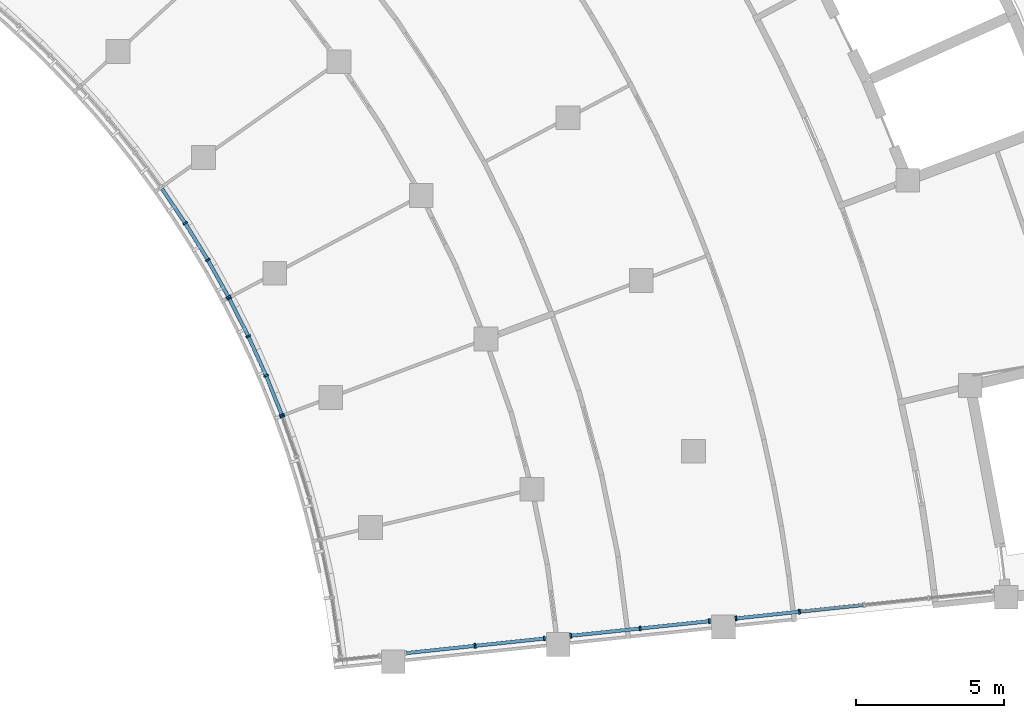
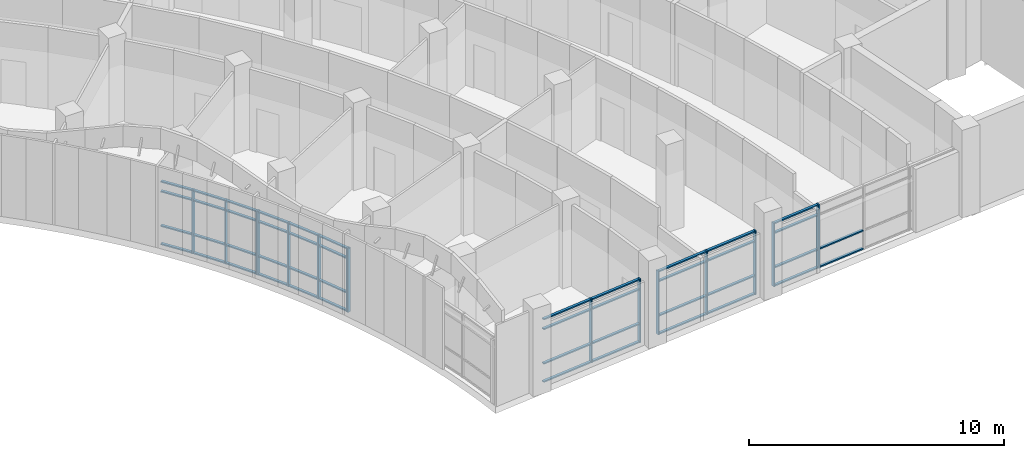
# One storey, part 9 of 137: 61 members, 6 elements without a shape of their own.
"""IFC4 building model written with IfcOpenShell, lengths in metres."""

from ifc_helpers import new_model, si_unit, direction, frame, origin, origin_2d, place, context, subcontext, project, spatial, rectangle, extrude, material, material_profile, profile_set, type_object, element, aggregate, save


model = new_model("IFC4")

# Units and contexts
model_context = context("Model", 3, precision=1e-05, world=origin(), true_north=direction((0.0, 1.0)))
body_context = subcontext(model_context, "Body", "Model", "MODEL_VIEW")
ifc_project = project(units=[si_unit("LENGTHUNIT", "METRE"), si_unit("AREAUNIT", "SQUARE_METRE"), si_unit("VOLUMEUNIT", "CUBIC_METRE"), si_unit("PLANEANGLEUNIT", "RADIAN"), si_unit("MASSUNIT", "GRAM", prefix="KILO")], contexts=[model_context])

# Site, building, storey
site_placement = place(None, origin())
site = spatial("IfcSite", under=ifc_project, at=site_placement, CompositionType="ELEMENT")
building_placement = place(site_placement, origin())
building = spatial("IfcBuilding", under=site, at=building_placement, Name="Bougainvillea Quay General Hospital", CompositionType="ELEMENT")
storey_placement = place(building_placement, frame((0.0, 0.0, 16.800048828125)))
storey = spatial("IfcBuildingStorey", under=building, at=storey_placement, Name="L03", CompositionType="ELEMENT", Elevation=16.800048828125)

# Curtain wall, members
ifc_material_1 = material(Name="Aluminium curtain wall system, powder-coated glazed", Category="aluminium")
curtain_wall_type_1 = type_object("IfcCurtainWallType", Name="Unitised curtain wall CW-2100", PredefinedType="NOTDEFINED", material=ifc_material_1)
curtain_wall_1_placement = place(storey_placement, origin())
curtain_wall_1 = element("IfcCurtainWall", 1, at=curtain_wall_1_placement, inside=storey, type_object=curtain_wall_type_1, Name="CW-E05 a12b4", PredefinedType="NOTDEFINED")
ifc_material_2 = material(Name="Aluminium mullion, powder-coated charcoal", Category="aluminium")
ifc_material_profile_1 = material_profile(ifc_material_2, rectangle(XDim=0.159912109375, YDim=0.06005859375, at=origin_2d()))
ifc_profile_set_1 = profile_set([ifc_material_profile_1], Name="Aluminium mullion, powder-coated charcoal")
member_type_1 = type_object("IfcMemberType", Name="Curtain wall mullion 160x60", PredefinedType="MULLION", material=ifc_profile_set_1)
member_1_placement = place(storey_placement, frame((137.984619140625, 40.560791015625, 0.0), z_axis=(0.0, 0.0, 1.0), x_axis=(0.840427908607, 0.541923362141, 0.0)))
member_1 = element("IfcMember", 2, at=member_1_placement, type_object=member_type_1, Name="CW-E05 mullion 2", PredefinedType="MULLION", context=body_context, shape_type="SweptSolid", body=[
    extrude(rectangle(XDim=0.159912109375, YDim=0.06005859375, at=origin_2d()), origin(), (0.0, 0.0, 1.0), 3.050048828125),
])
member_2_placement = place(storey_placement, frame((138.747802734375, 39.31982421875, 0.0), z_axis=(0.0, 0.0, 1.0), x_axis=(0.862713792698, 0.50569250725, 0.0)))
member_2 = element("IfcMember", 3, at=member_2_placement, type_object=member_type_1, Name="CW-E05 mullion 3", PredefinedType="MULLION", context=body_context, shape_type="SweptSolid", body=[
    extrude(rectangle(XDim=0.159912109375, YDim=0.06005859375, at=origin_2d()), origin(), (0.0, 0.0, 1.0), 3.050048828125),
])
member_3_placement = place(storey_placement, frame((139.443115234375, 38.073974609375, 0.0), z_axis=(0.0, 0.0, 1.0), x_axis=(0.873273793396, 0.487229803858, 0.0)))
member_3 = element("IfcMember", 4, at=member_3_placement, type_object=member_type_1, Name="CW-E05 mullion 4", PredefinedType="MULLION", context=body_context, shape_type="SweptSolid", body=[
    extrude(rectangle(XDim=0.159912109375, YDim=0.06005859375, at=origin_2d()), origin(), (0.0, 0.0, 1.0), 3.050048828125),
])

curtain_wall_2_placement = place(storey_placement, origin())
curtain_wall_2 = element("IfcCurtainWall", 5, at=curtain_wall_2_placement, inside=storey, type_object=curtain_wall_type_1, Name="CW-E06 a12b5", PredefinedType="NOTDEFINED")
member_4_placement = place(storey_placement, frame((139.47119140625, 38.02099609375, 0.0), z_axis=(0.0, 0.0, 1.0), x_axis=(0.893204028362, 0.449651602597, 0.0)))
member_4 = element("IfcMember", 6, at=member_4_placement, type_object=member_type_1, Name="CW-E06 mullion 1", PredefinedType="MULLION", context=body_context, shape_type="SweptSolid", body=[
    extrude(rectangle(XDim=0.159912109375, YDim=0.06005859375, at=origin_2d()), origin(), (0.0, 0.0, 1.0), 3.050048828125),
])
member_5_placement = place(storey_placement, frame((140.11279296875, 36.746337890625, 0.0), z_axis=(0.0, 0.0, 1.0), x_axis=(0.902565246474, 0.430553104574, 0.0)))
member_5 = element("IfcMember", 7, at=member_5_placement, type_object=member_type_1, Name="CW-E06 mullion 2", PredefinedType="MULLION", context=body_context, shape_type="SweptSolid", body=[
    extrude(rectangle(XDim=0.159912109375, YDim=0.06005859375, at=origin_2d()), origin(), (0.0, 0.0, 1.0), 3.050048828125),
])
member_6_placement = place(storey_placement, frame((140.7119140625, 35.41845703125, 0.0), z_axis=(0.0, 0.0, 1.0), x_axis=(0.920058711526, 0.391780509145, 0.0)))
member_6 = element("IfcMember", 8, at=member_6_placement, type_object=member_type_1, Name="CW-E06 mullion 3", PredefinedType="MULLION", context=body_context, shape_type="SweptSolid", body=[
    extrude(rectangle(XDim=0.159912109375, YDim=0.06005859375, at=origin_2d()), origin(), (0.0, 0.0, 1.0), 3.050048828125),
])
member_7_placement = place(storey_placement, frame((141.242919921875, 34.093994140625, 0.0), z_axis=(0.0, 0.0, 1.0), x_axis=(0.92818304467, 0.372123951912, 0.0)))
member_7 = element("IfcMember", 9, at=member_7_placement, type_object=member_type_1, Name="CW-E06 mullion 4", PredefinedType="MULLION", context=body_context, shape_type="SweptSolid", body=[
    extrude(rectangle(XDim=0.159912109375, YDim=0.06005859375, at=origin_2d()), origin(), (0.0, 0.0, 1.0), 3.050048828125),
])

# Curtain wall, member
curtain_wall_3_placement = place(storey_placement, origin())
curtain_wall_3 = element("IfcCurtainWall", 10, at=curtain_wall_3_placement, inside=storey, type_object=curtain_wall_type_1, Name="CW-E07 a12b6", PredefinedType="NOTDEFINED")
member_8_placement = place(storey_placement, frame((141.26416015625, 34.037841796875, 0.0), z_axis=(0.0, 0.0, 1.0), x_axis=(0.943168537252, 0.332314775986, 0.0)))
member_8 = element("IfcMember", 11, at=member_8_placement, type_object=member_type_1, Name="CW-E07 mullion 1", PredefinedType="MULLION", context=body_context, shape_type="SweptSolid", body=[
    extrude(rectangle(XDim=0.159912109375, YDim=0.06005859375, at=origin_2d()), origin(), (0.0, 0.0, 1.0), 3.050048828125),
])
aggregate(curtain_wall_3, [member_8])

# Curtain wall, members
curtain_wall_type_2 = type_object("IfcCurtainWallType", Name="Unitised curtain wall CW-2380", PredefinedType="NOTDEFINED", material=ifc_material_1)
curtain_wall_4_placement = place(storey_placement, origin())
curtain_wall_4 = element("IfcCurtainWall", 12, at=curtain_wall_4_placement, inside=storey, type_object=curtain_wall_type_2, Name="CW-AE 01", PredefinedType="NOTDEFINED")
member_9_placement = place(storey_placement, frame((147.76171875, 26.304443359375, 0.0), z_axis=(0.0, 0.0, 1.0), x_axis=(-0.104527173765, 0.9945220309, 0.0)))
member_9 = element("IfcMember", 13, at=member_9_placement, type_object=member_type_1, Name="CW-AE mullion 2", PredefinedType="MULLION", context=body_context, shape_type="SweptSolid", body=[
    extrude(rectangle(XDim=0.159912109375, YDim=0.06005859375, at=origin_2d()), origin(), (0.0, 0.0, 1.0), 3.050048828125),
])
member_10_placement = place(storey_placement, frame((150.0986328125, 26.550048828125, 0.0), z_axis=(0.0, 0.0, 1.0), x_axis=(-0.104527173765, 0.9945220309, 0.0)))
member_10 = element("IfcMember", 14, at=member_10_placement, type_object=member_type_1, Name="CW-AE mullion 3", PredefinedType="MULLION", context=body_context, shape_type="SweptSolid", body=[
    extrude(rectangle(XDim=0.159912109375, YDim=0.06005859375, at=origin_2d()), origin(), (0.0, 0.0, 1.0), 3.050048828125),
])

curtain_wall_5_placement = place(storey_placement, origin())
curtain_wall_5 = element("IfcCurtainWall", 15, at=curtain_wall_5_placement, inside=storey, type_object=curtain_wall_type_2, Name="CW-AE 02", PredefinedType="NOTDEFINED")
member_11_placement = place(storey_placement, frame((150.99365234375, 26.64404296875, 0.0), z_axis=(0.0, 0.0, 1.0), x_axis=(-0.104527173765, 0.9945220309, 0.0)))
member_11 = element("IfcMember", 16, at=member_11_placement, type_object=member_type_1, Name="CW-AE mullion 1", PredefinedType="MULLION", context=body_context, shape_type="SweptSolid", body=[
    extrude(rectangle(XDim=0.159912109375, YDim=0.06005859375, at=origin_2d()), origin(), (0.0, 0.0, 1.0), 3.050048828125),
])
member_12_placement = place(storey_placement, frame((153.33056640625, 26.8896484375, 0.0), z_axis=(0.0, 0.0, 1.0), x_axis=(-0.104527173765, 0.9945220309, 0.0)))
member_12 = element("IfcMember", 17, at=member_12_placement, type_object=member_type_1, Name="CW-AE mullion 2", PredefinedType="MULLION", context=body_context, shape_type="SweptSolid", body=[
    extrude(rectangle(XDim=0.159912109375, YDim=0.06005859375, at=origin_2d()), origin(), (0.0, 0.0, 1.0), 3.050048828125),
])
member_13_placement = place(storey_placement, frame((155.667724609375, 27.13525390625, 0.0), z_axis=(0.0, 0.0, 1.0), x_axis=(-0.104527173765, 0.9945220309, 0.0)))
member_13 = element("IfcMember", 18, at=member_13_placement, type_object=member_type_1, Name="CW-AE mullion 3", PredefinedType="MULLION", context=body_context, shape_type="SweptSolid", body=[
    extrude(rectangle(XDim=0.159912109375, YDim=0.06005859375, at=origin_2d()), origin(), (0.0, 0.0, 1.0), 3.050048828125),
])

curtain_wall_type_3 = type_object("IfcCurtainWallType", Name="Unitised curtain wall CW-2190", PredefinedType="NOTDEFINED", material=ifc_material_1)
curtain_wall_6_placement = place(storey_placement, origin())
curtain_wall_6 = element("IfcCurtainWall", 19, at=curtain_wall_6_placement, inside=storey, type_object=curtain_wall_type_3, Name="CW-AE 03", PredefinedType="NOTDEFINED")
member_14_placement = place(storey_placement, frame((156.562744140625, 27.2294921875, 0.0), z_axis=(0.0, 0.0, 1.0), x_axis=(-0.104527173765, 0.9945220309, 0.0)))
member_14 = element("IfcMember", 20, at=member_14_placement, type_object=member_type_1, Name="CW-AE mullion 1", PredefinedType="MULLION", context=body_context, shape_type="SweptSolid", body=[
    extrude(rectangle(XDim=0.159912109375, YDim=0.06005859375, at=origin_2d()), origin(), (0.0, 0.0, 1.0), 3.050048828125),
])
member_15_placement = place(storey_placement, frame((158.7109375, 27.455078125, 0.0), z_axis=(0.0, 0.0, 1.0), x_axis=(-0.104527173765, 0.9945220309, 0.0)))
member_15 = element("IfcMember", 21, at=member_15_placement, type_object=member_type_1, Name="CW-AE mullion 2", PredefinedType="MULLION", context=body_context, shape_type="SweptSolid", body=[
    extrude(rectangle(XDim=0.159912109375, YDim=0.06005859375, at=origin_2d()), origin(), (0.0, 0.0, 1.0), 3.050048828125),
])

# Member
ifc_material_3 = material(Name="Aluminium transom, powder-coated charcoal", Category="aluminium")
ifc_material_profile_2 = material_profile(ifc_material_3, rectangle(XDim=0.1201171875, YDim=0.06005859375, at=origin_2d()))
ifc_profile_set_2 = profile_set([ifc_material_profile_2], Name="Aluminium transom, powder-coated charcoal")
member_type_2 = type_object("IfcMemberType", Name="Curtain wall transom 120x60", PredefinedType="USERDEFINED", material=ifc_profile_set_2)
member_16_placement = place(storey_placement, frame((137.202880859375, 41.718505859375, 0.030029296875), z_axis=(0.559595554462, -0.828765838718, 0.0), x_axis=(0.828765838718, 0.559595554462, 0.0)))
member_16 = element("IfcMember", 22, at=member_16_placement, type_object=member_type_2, Name="CW-E05 transom 1.1", ObjectType="TRANSOM", PredefinedType="USERDEFINED", context=body_context, shape_type="SweptSolid", body=[
    extrude(rectangle(XDim=0.1201171875, YDim=0.06005859375, at=origin_2d()), origin(), (0.0, 0.0, 1.0), 1.366943359375),
])

member_17_placement = place(storey_placement, frame((137.202880859375, 41.718505859375, 0.89990234375), z_axis=(0.559595554462, -0.828765838718, 0.0), x_axis=(0.828765838718, 0.559595554462, 0.0)))
member_17 = element("IfcMember", 23, at=member_17_placement, type_object=member_type_2, Name="CW-E05 transom 1.2", ObjectType="TRANSOM", PredefinedType="USERDEFINED", context=body_context, shape_type="SweptSolid", body=[
    extrude(rectangle(XDim=0.1201171875, YDim=0.06005859375, at=origin_2d()), origin(), (0.0, 0.0, 1.0), 1.366943359375),
])

member_18_placement = place(storey_placement, frame((137.202880859375, 41.718505859375, 2.550048828125), z_axis=(0.559595554462, -0.828765838718, 0.0), x_axis=(0.828765838718, 0.559595554462, 0.0)))
member_18 = element("IfcMember", 24, at=member_18_placement, type_object=member_type_2, Name="CW-E05 transom 1.3", ObjectType="TRANSOM", PredefinedType="USERDEFINED", context=body_context, shape_type="SweptSolid", body=[
    extrude(rectangle(XDim=0.1201171875, YDim=0.06005859375, at=origin_2d()), origin(), (0.0, 0.0, 1.0), 1.366943359375),
])

member_19_placement = place(storey_placement, frame((137.202880859375, 41.718505859375, 3.02001953125), z_axis=(0.559595554462, -0.828765838718, 0.0), x_axis=(0.828765838718, 0.559595554462, 0.0)))
member_19 = element("IfcMember", 25, at=member_19_placement, type_object=member_type_2, Name="CW-E05 transom 1.4", ObjectType="TRANSOM", PredefinedType="USERDEFINED", context=body_context, shape_type="SweptSolid", body=[
    extrude(rectangle(XDim=0.1201171875, YDim=0.06005859375, at=origin_2d()), origin(), (0.0, 0.0, 1.0), 1.366943359375),
])

member_20_placement = place(storey_placement, frame((138.000244140625, 40.535400390625, 0.030029296875), z_axis=(0.523921907365, -0.851766303034, 0.0), x_axis=(0.851766303034, 0.523921907365, 0.0)))
member_20 = element("IfcMember", 26, at=member_20_placement, type_object=member_type_2, Name="CW-E05 transom 2.1", ObjectType="TRANSOM", PredefinedType="USERDEFINED", context=body_context, shape_type="SweptSolid", body=[
    extrude(rectangle(XDim=0.1201171875, YDim=0.06005859375, at=origin_2d()), origin(), (0.0, 0.0, 1.0), 1.39697265625),
])

member_21_placement = place(storey_placement, frame((138.000244140625, 40.535400390625, 0.89990234375), z_axis=(0.523921907365, -0.851766303034, 0.0), x_axis=(0.851766303034, 0.523921907365, 0.0)))
member_21 = element("IfcMember", 27, at=member_21_placement, type_object=member_type_2, Name="CW-E05 transom 2.2", ObjectType="TRANSOM", PredefinedType="USERDEFINED", context=body_context, shape_type="SweptSolid", body=[
    extrude(rectangle(XDim=0.1201171875, YDim=0.06005859375, at=origin_2d()), origin(), (0.0, 0.0, 1.0), 1.39697265625),
])

member_22_placement = place(storey_placement, frame((138.000244140625, 40.535400390625, 2.550048828125), z_axis=(0.523921907365, -0.851766303034, 0.0), x_axis=(0.851766303034, 0.523921907365, 0.0)))
member_22 = element("IfcMember", 28, at=member_22_placement, type_object=member_type_2, Name="CW-E05 transom 2.3", ObjectType="TRANSOM", PredefinedType="USERDEFINED", context=body_context, shape_type="SweptSolid", body=[
    extrude(rectangle(XDim=0.1201171875, YDim=0.06005859375, at=origin_2d()), origin(), (0.0, 0.0, 1.0), 1.39697265625),
])

member_23_placement = place(storey_placement, frame((138.000244140625, 40.535400390625, 3.02001953125), z_axis=(0.523921907365, -0.851766303034, 0.0), x_axis=(0.851766303034, 0.523921907365, 0.0)))
member_23 = element("IfcMember", 29, at=member_23_placement, type_object=member_type_2, Name="CW-E05 transom 2.4", ObjectType="TRANSOM", PredefinedType="USERDEFINED", context=body_context, shape_type="SweptSolid", body=[
    extrude(rectangle(XDim=0.1201171875, YDim=0.06005859375, at=origin_2d()), origin(), (0.0, 0.0, 1.0), 1.39697265625),
])

member_24_placement = place(storey_placement, frame((138.762451171875, 39.293701171875, 0.030029296875), z_axis=(0.487264805137, -0.873254264046, 0.0), x_axis=(0.873254264046, 0.487264805137, 0.0)))
member_24 = element("IfcMember", 30, at=member_24_placement, type_object=member_type_2, Name="CW-E05 transom 3.1", ObjectType="TRANSOM", PredefinedType="USERDEFINED", context=body_context, shape_type="SweptSolid", body=[
    extrude(rectangle(XDim=0.1201171875, YDim=0.06005859375, at=origin_2d()), origin(), (0.0, 0.0, 1.0), 1.366943359375),
])

member_25_placement = place(storey_placement, frame((138.762451171875, 39.293701171875, 0.89990234375), z_axis=(0.487264805137, -0.873254264046, 0.0), x_axis=(0.873254264046, 0.487264805137, 0.0)))
member_25 = element("IfcMember", 31, at=member_25_placement, type_object=member_type_2, Name="CW-E05 transom 3.2", ObjectType="TRANSOM", PredefinedType="USERDEFINED", context=body_context, shape_type="SweptSolid", body=[
    extrude(rectangle(XDim=0.1201171875, YDim=0.06005859375, at=origin_2d()), origin(), (0.0, 0.0, 1.0), 1.366943359375),
])

member_26_placement = place(storey_placement, frame((138.762451171875, 39.293701171875, 2.550048828125), z_axis=(0.487264805137, -0.873254264046, 0.0), x_axis=(0.873254264046, 0.487264805137, 0.0)))
member_26 = element("IfcMember", 32, at=member_26_placement, type_object=member_type_2, Name="CW-E05 transom 3.3", ObjectType="TRANSOM", PredefinedType="USERDEFINED", context=body_context, shape_type="SweptSolid", body=[
    extrude(rectangle(XDim=0.1201171875, YDim=0.06005859375, at=origin_2d()), origin(), (0.0, 0.0, 1.0), 1.366943359375),
])

member_27_placement = place(storey_placement, frame((138.762451171875, 39.293701171875, 3.02001953125), z_axis=(0.487264805137, -0.873254264046, 0.0), x_axis=(0.873254264046, 0.487264805137, 0.0)))
member_27 = element("IfcMember", 33, at=member_27_placement, type_object=member_type_2, Name="CW-E05 transom 3.4", ObjectType="TRANSOM", PredefinedType="USERDEFINED", context=body_context, shape_type="SweptSolid", body=[
    extrude(rectangle(XDim=0.1201171875, YDim=0.06005859375, at=origin_2d()), origin(), (0.0, 0.0, 1.0), 1.366943359375),
])

aggregate(curtain_wall_1, [member_1, member_2, member_3, member_16, member_17, member_18, member_19, member_20, member_21, member_22, member_23, member_24, member_25, member_26, member_27])

member_28_placement = place(storey_placement, frame((139.484619140625, 37.994140625, 0.030029296875), z_axis=(0.449712233761, -0.893173503193, 0.0), x_axis=(0.893173503193, 0.449712233761, 0.0)))
member_28 = element("IfcMember", 34, at=member_28_placement, type_object=member_type_2, Name="CW-E06 transom 1.1", ObjectType="TRANSOM", PredefinedType="USERDEFINED", context=body_context, shape_type="SweptSolid", body=[
    extrude(rectangle(XDim=0.1201171875, YDim=0.06005859375, at=origin_2d()), origin(), (0.0, 0.0, 1.0), 1.366943359375),
])

member_29_placement = place(storey_placement, frame((139.484619140625, 37.994140625, 0.89990234375), z_axis=(0.449712233761, -0.893173503193, 0.0), x_axis=(0.893173503193, 0.449712233761, 0.0)))
member_29 = element("IfcMember", 35, at=member_29_placement, type_object=member_type_2, Name="CW-E06 transom 1.2", ObjectType="TRANSOM", PredefinedType="USERDEFINED", context=body_context, shape_type="SweptSolid", body=[
    extrude(rectangle(XDim=0.1201171875, YDim=0.06005859375, at=origin_2d()), origin(), (0.0, 0.0, 1.0), 1.366943359375),
])

member_30_placement = place(storey_placement, frame((139.484619140625, 37.994140625, 2.550048828125), z_axis=(0.449712233761, -0.893173503193, 0.0), x_axis=(0.893173503193, 0.449712233761, 0.0)))
member_30 = element("IfcMember", 36, at=member_30_placement, type_object=member_type_2, Name="CW-E06 transom 1.3", ObjectType="TRANSOM", PredefinedType="USERDEFINED", context=body_context, shape_type="SweptSolid", body=[
    extrude(rectangle(XDim=0.1201171875, YDim=0.06005859375, at=origin_2d()), origin(), (0.0, 0.0, 1.0), 1.366943359375),
])

member_31_placement = place(storey_placement, frame((139.484619140625, 37.994140625, 3.02001953125), z_axis=(0.449712233761, -0.893173503193, 0.0), x_axis=(0.893173503193, 0.449712233761, 0.0)))
member_31 = element("IfcMember", 37, at=member_31_placement, type_object=member_type_2, Name="CW-E06 transom 1.4", ObjectType="TRANSOM", PredefinedType="USERDEFINED", context=body_context, shape_type="SweptSolid", body=[
    extrude(rectangle(XDim=0.1201171875, YDim=0.06005859375, at=origin_2d()), origin(), (0.0, 0.0, 1.0), 1.366943359375),
])

member_32_placement = place(storey_placement, frame((140.125244140625, 36.718994140625, 0.030029296875), z_axis=(0.411272928094, -0.911512248199, 0.0), x_axis=(0.911512248199, 0.411272928094, 0.0)))
member_32 = element("IfcMember", 38, at=member_32_placement, type_object=member_type_2, Name="CW-E06 transom 2.1", ObjectType="TRANSOM", PredefinedType="USERDEFINED", context=body_context, shape_type="SweptSolid", body=[
    extrude(rectangle(XDim=0.1201171875, YDim=0.06005859375, at=origin_2d()), origin(), (0.0, 0.0, 1.0), 1.396728515625),
])

member_33_placement = place(storey_placement, frame((140.125244140625, 36.718994140625, 0.89990234375), z_axis=(0.411272928094, -0.911512248199, 0.0), x_axis=(0.911512248199, 0.411272928094, 0.0)))
member_33 = element("IfcMember", 39, at=member_33_placement, type_object=member_type_2, Name="CW-E06 transom 2.2", ObjectType="TRANSOM", PredefinedType="USERDEFINED", context=body_context, shape_type="SweptSolid", body=[
    extrude(rectangle(XDim=0.1201171875, YDim=0.06005859375, at=origin_2d()), origin(), (0.0, 0.0, 1.0), 1.396728515625),
])

member_34_placement = place(storey_placement, frame((140.125244140625, 36.718994140625, 2.550048828125), z_axis=(0.411272928094, -0.911512248199, 0.0), x_axis=(0.911512248199, 0.411272928094, 0.0)))
member_34 = element("IfcMember", 40, at=member_34_placement, type_object=member_type_2, Name="CW-E06 transom 2.3", ObjectType="TRANSOM", PredefinedType="USERDEFINED", context=body_context, shape_type="SweptSolid", body=[
    extrude(rectangle(XDim=0.1201171875, YDim=0.06005859375, at=origin_2d()), origin(), (0.0, 0.0, 1.0), 1.396728515625),
])

member_35_placement = place(storey_placement, frame((140.125244140625, 36.718994140625, 3.02001953125), z_axis=(0.411272928094, -0.911512248199, 0.0), x_axis=(0.911512248199, 0.411272928094, 0.0)))
member_35 = element("IfcMember", 41, at=member_35_placement, type_object=member_type_2, Name="CW-E06 transom 2.4", ObjectType="TRANSOM", PredefinedType="USERDEFINED", context=body_context, shape_type="SweptSolid", body=[
    extrude(rectangle(XDim=0.1201171875, YDim=0.06005859375, at=origin_2d()), origin(), (0.0, 0.0, 1.0), 1.396728515625),
])

member_36_placement = place(storey_placement, frame((140.72314453125, 35.390625, 0.030029296875), z_axis=(0.37203726485, -0.92821779425, 0.0), x_axis=(0.92821779425, 0.37203726485, 0.0)))
member_36 = element("IfcMember", 42, at=member_36_placement, type_object=member_type_2, Name="CW-E06 transom 3.1", ObjectType="TRANSOM", PredefinedType="USERDEFINED", context=body_context, shape_type="SweptSolid", body=[
    extrude(rectangle(XDim=0.1201171875, YDim=0.06005859375, at=origin_2d()), origin(), (0.0, 0.0, 1.0), 1.366943359375),
])

member_37_placement = place(storey_placement, frame((140.72314453125, 35.390625, 0.89990234375), z_axis=(0.37203726485, -0.92821779425, 0.0), x_axis=(0.92821779425, 0.37203726485, 0.0)))
member_37 = element("IfcMember", 43, at=member_37_placement, type_object=member_type_2, Name="CW-E06 transom 3.2", ObjectType="TRANSOM", PredefinedType="USERDEFINED", context=body_context, shape_type="SweptSolid", body=[
    extrude(rectangle(XDim=0.1201171875, YDim=0.06005859375, at=origin_2d()), origin(), (0.0, 0.0, 1.0), 1.366943359375),
])

member_38_placement = place(storey_placement, frame((140.72314453125, 35.390625, 2.550048828125), z_axis=(0.37203726485, -0.92821779425, 0.0), x_axis=(0.92821779425, 0.37203726485, 0.0)))
member_38 = element("IfcMember", 44, at=member_38_placement, type_object=member_type_2, Name="CW-E06 transom 3.3", ObjectType="TRANSOM", PredefinedType="USERDEFINED", context=body_context, shape_type="SweptSolid", body=[
    extrude(rectangle(XDim=0.1201171875, YDim=0.06005859375, at=origin_2d()), origin(), (0.0, 0.0, 1.0), 1.366943359375),
])

member_39_placement = place(storey_placement, frame((140.72314453125, 35.390625, 3.02001953125), z_axis=(0.37203726485, -0.92821779425, 0.0), x_axis=(0.92821779425, 0.37203726485, 0.0)))
member_39 = element("IfcMember", 45, at=member_39_placement, type_object=member_type_2, Name="CW-E06 transom 3.4", ObjectType="TRANSOM", PredefinedType="USERDEFINED", context=body_context, shape_type="SweptSolid", body=[
    extrude(rectangle(XDim=0.1201171875, YDim=0.06005859375, at=origin_2d()), origin(), (0.0, 0.0, 1.0), 1.366943359375),
])

aggregate(curtain_wall_2, [member_4, member_5, member_6, member_7, member_28, member_29, member_30, member_31, member_32, member_33, member_34, member_35, member_36, member_37, member_38, member_39])

member_40_placement = place(storey_placement, frame((145.45458984375, 26.061767578125, 0.030029296875), z_axis=(0.994515379813, 0.104590436063, 0.0), x_axis=(-0.104590436063, 0.994515379813, 0.0)))
member_40 = element("IfcMember", 46, at=member_40_placement, type_object=member_type_2, Name="CW-AE transom 1.1", ObjectType="TRANSOM", PredefinedType="USERDEFINED", context=body_context, shape_type="SweptSolid", body=[
    extrude(rectangle(XDim=0.1201171875, YDim=0.06005859375, at=origin_2d()), origin(), (0.0, 0.0, 1.0), 2.289794921875),
])

member_41_placement = place(storey_placement, frame((145.45458984375, 26.061767578125, 0.89990234375), z_axis=(0.994515379813, 0.104590436063, 0.0), x_axis=(-0.104590436063, 0.994515379813, 0.0)))
member_41 = element("IfcMember", 47, at=member_41_placement, type_object=member_type_2, Name="CW-AE transom 1.2", ObjectType="TRANSOM", PredefinedType="USERDEFINED", context=body_context, shape_type="SweptSolid", body=[
    extrude(rectangle(XDim=0.1201171875, YDim=0.06005859375, at=origin_2d()), origin(), (0.0, 0.0, 1.0), 2.289794921875),
])

member_42_placement = place(storey_placement, frame((145.45458984375, 26.061767578125, 2.550048828125), z_axis=(0.994515379813, 0.104590436063, 0.0), x_axis=(-0.104590436063, 0.994515379813, 0.0)))
member_42 = element("IfcMember", 48, at=member_42_placement, type_object=member_type_2, Name="CW-AE transom 1.3", ObjectType="TRANSOM", PredefinedType="USERDEFINED", context=body_context, shape_type="SweptSolid", body=[
    extrude(rectangle(XDim=0.1201171875, YDim=0.06005859375, at=origin_2d()), origin(), (0.0, 0.0, 1.0), 2.289794921875),
])

member_43_placement = place(storey_placement, frame((145.45458984375, 26.061767578125, 3.02001953125), z_axis=(0.994515379813, 0.104590436063, 0.0), x_axis=(-0.104590436063, 0.994515379813, 0.0)))
member_43 = element("IfcMember", 49, at=member_43_placement, type_object=member_type_2, Name="CW-AE transom 1.4", ObjectType="TRANSOM", PredefinedType="USERDEFINED", context=body_context, shape_type="SweptSolid", body=[
    extrude(rectangle(XDim=0.1201171875, YDim=0.06005859375, at=origin_2d()), origin(), (0.0, 0.0, 1.0), 2.289794921875),
])

member_44_placement = place(storey_placement, frame((147.79150390625, 26.3076171875, 0.030029296875), z_axis=(0.994526464215, 0.104484984448, 0.0), x_axis=(-0.104484984448, 0.994526464215, 0.0)))
member_44 = element("IfcMember", 50, at=member_44_placement, type_object=member_type_2, Name="CW-AE transom 2.1", ObjectType="TRANSOM", PredefinedType="USERDEFINED", context=body_context, shape_type="SweptSolid", body=[
    extrude(rectangle(XDim=0.1201171875, YDim=0.06005859375, at=origin_2d()), origin(), (0.0, 0.0, 1.0), 2.289794921875),
])

member_45_placement = place(storey_placement, frame((147.79150390625, 26.3076171875, 0.89990234375), z_axis=(0.994526464215, 0.104484984448, 0.0), x_axis=(-0.104484984448, 0.994526464215, 0.0)))
member_45 = element("IfcMember", 51, at=member_45_placement, type_object=member_type_2, Name="CW-AE transom 2.2", ObjectType="TRANSOM", PredefinedType="USERDEFINED", context=body_context, shape_type="SweptSolid", body=[
    extrude(rectangle(XDim=0.1201171875, YDim=0.06005859375, at=origin_2d()), origin(), (0.0, 0.0, 1.0), 2.289794921875),
])

member_46_placement = place(storey_placement, frame((147.79150390625, 26.3076171875, 2.550048828125), z_axis=(0.994526464215, 0.104484984448, 0.0), x_axis=(-0.104484984448, 0.994526464215, 0.0)))
member_46 = element("IfcMember", 52, at=member_46_placement, type_object=member_type_2, Name="CW-AE transom 2.3", ObjectType="TRANSOM", PredefinedType="USERDEFINED", context=body_context, shape_type="SweptSolid", body=[
    extrude(rectangle(XDim=0.1201171875, YDim=0.06005859375, at=origin_2d()), origin(), (0.0, 0.0, 1.0), 2.289794921875),
])

member_47_placement = place(storey_placement, frame((147.79150390625, 26.3076171875, 3.02001953125), z_axis=(0.994526464215, 0.104484984448, 0.0), x_axis=(-0.104484984448, 0.994526464215, 0.0)))
member_47 = element("IfcMember", 53, at=member_47_placement, type_object=member_type_2, Name="CW-AE transom 2.4", ObjectType="TRANSOM", PredefinedType="USERDEFINED", context=body_context, shape_type="SweptSolid", body=[
    extrude(rectangle(XDim=0.1201171875, YDim=0.06005859375, at=origin_2d()), origin(), (0.0, 0.0, 1.0), 2.289794921875),
])

aggregate(curtain_wall_4, [member_9, member_10, member_40, member_41, member_42, member_43, member_44, member_45, member_46, member_47])

member_48_placement = place(storey_placement, frame((151.0234375, 26.647216796875, 0.030029296875), z_axis=(0.994526464215, 0.104484984448, 0.0), x_axis=(-0.104484984448, 0.994526464215, 0.0)))
member_48 = element("IfcMember", 54, at=member_48_placement, type_object=member_type_2, Name="CW-AE transom 1.1", ObjectType="TRANSOM", PredefinedType="USERDEFINED", context=body_context, shape_type="SweptSolid", body=[
    extrude(rectangle(XDim=0.1201171875, YDim=0.06005859375, at=origin_2d()), origin(), (0.0, 0.0, 1.0), 2.289794921875),
])

member_49_placement = place(storey_placement, frame((151.0234375, 26.647216796875, 0.89990234375), z_axis=(0.994526464215, 0.104484984448, 0.0), x_axis=(-0.104484984448, 0.994526464215, 0.0)))
member_49 = element("IfcMember", 55, at=member_49_placement, type_object=member_type_2, Name="CW-AE transom 1.2", ObjectType="TRANSOM", PredefinedType="USERDEFINED", context=body_context, shape_type="SweptSolid", body=[
    extrude(rectangle(XDim=0.1201171875, YDim=0.06005859375, at=origin_2d()), origin(), (0.0, 0.0, 1.0), 2.289794921875),
])

member_50_placement = place(storey_placement, frame((151.0234375, 26.647216796875, 2.550048828125), z_axis=(0.994526464215, 0.104484984448, 0.0), x_axis=(-0.104484984448, 0.994526464215, 0.0)))
member_50 = element("IfcMember", 56, at=member_50_placement, type_object=member_type_2, Name="CW-AE transom 1.3", ObjectType="TRANSOM", PredefinedType="USERDEFINED", context=body_context, shape_type="SweptSolid", body=[
    extrude(rectangle(XDim=0.1201171875, YDim=0.06005859375, at=origin_2d()), origin(), (0.0, 0.0, 1.0), 2.289794921875),
])

member_51_placement = place(storey_placement, frame((151.0234375, 26.647216796875, 3.02001953125), z_axis=(0.994526464215, 0.104484984448, 0.0), x_axis=(-0.104484984448, 0.994526464215, 0.0)))
member_51 = element("IfcMember", 57, at=member_51_placement, type_object=member_type_2, Name="CW-AE transom 1.4", ObjectType="TRANSOM", PredefinedType="USERDEFINED", context=body_context, shape_type="SweptSolid", body=[
    extrude(rectangle(XDim=0.1201171875, YDim=0.06005859375, at=origin_2d()), origin(), (0.0, 0.0, 1.0), 2.289794921875),
])

member_52_placement = place(storey_placement, frame((153.360595703125, 26.892822265625, 0.030029296875), z_axis=(0.994526464215, 0.104484984448, 0.0), x_axis=(-0.104484984448, 0.994526464215, 0.0)))
member_52 = element("IfcMember", 58, at=member_52_placement, type_object=member_type_2, Name="CW-AE transom 2.1", ObjectType="TRANSOM", PredefinedType="USERDEFINED", context=body_context, shape_type="SweptSolid", body=[
    extrude(rectangle(XDim=0.1201171875, YDim=0.06005859375, at=origin_2d()), origin(), (0.0, 0.0, 1.0), 2.289794921875),
])

member_53_placement = place(storey_placement, frame((153.360595703125, 26.892822265625, 0.89990234375), z_axis=(0.994526464215, 0.104484984448, 0.0), x_axis=(-0.104484984448, 0.994526464215, 0.0)))
member_53 = element("IfcMember", 59, at=member_53_placement, type_object=member_type_2, Name="CW-AE transom 2.2", ObjectType="TRANSOM", PredefinedType="USERDEFINED", context=body_context, shape_type="SweptSolid", body=[
    extrude(rectangle(XDim=0.1201171875, YDim=0.06005859375, at=origin_2d()), origin(), (0.0, 0.0, 1.0), 2.289794921875),
])

member_54_placement = place(storey_placement, frame((153.360595703125, 26.892822265625, 2.550048828125), z_axis=(0.994526464215, 0.104484984448, 0.0), x_axis=(-0.104484984448, 0.994526464215, 0.0)))
member_54 = element("IfcMember", 60, at=member_54_placement, type_object=member_type_2, Name="CW-AE transom 2.3", ObjectType="TRANSOM", PredefinedType="USERDEFINED", context=body_context, shape_type="SweptSolid", body=[
    extrude(rectangle(XDim=0.1201171875, YDim=0.06005859375, at=origin_2d()), origin(), (0.0, 0.0, 1.0), 2.289794921875),
])

member_55_placement = place(storey_placement, frame((153.360595703125, 26.892822265625, 3.02001953125), z_axis=(0.994526464215, 0.104484984448, 0.0), x_axis=(-0.104484984448, 0.994526464215, 0.0)))
member_55 = element("IfcMember", 61, at=member_55_placement, type_object=member_type_2, Name="CW-AE transom 2.4", ObjectType="TRANSOM", PredefinedType="USERDEFINED", context=body_context, shape_type="SweptSolid", body=[
    extrude(rectangle(XDim=0.1201171875, YDim=0.06005859375, at=origin_2d()), origin(), (0.0, 0.0, 1.0), 2.289794921875),
])

aggregate(curtain_wall_5, [member_11, member_12, member_13, member_48, member_49, member_50, member_51, member_52, member_53, member_54, member_55])

member_56_placement = place(storey_placement, frame((156.592529296875, 27.232421875, 0.030029296875), z_axis=(0.994522640205, 0.104521376379, 0.0), x_axis=(-0.104521376379, 0.994522640205, 0.0)))
member_56 = element("IfcMember", 62, at=member_56_placement, type_object=member_type_2, Name="CW-AE transom 1.1", ObjectType="TRANSOM", PredefinedType="USERDEFINED", context=body_context, shape_type="SweptSolid", body=[
    extrude(rectangle(XDim=0.1201171875, YDim=0.06005859375, at=origin_2d()), origin(), (0.0, 0.0, 1.0), 2.099853515625),
])

member_57_placement = place(storey_placement, frame((156.592529296875, 27.232421875, 0.89990234375), z_axis=(0.994522640205, 0.104521376379, 0.0), x_axis=(-0.104521376379, 0.994522640205, 0.0)))
member_57 = element("IfcMember", 63, at=member_57_placement, type_object=member_type_2, Name="CW-AE transom 1.2", ObjectType="TRANSOM", PredefinedType="USERDEFINED", context=body_context, shape_type="SweptSolid", body=[
    extrude(rectangle(XDim=0.1201171875, YDim=0.06005859375, at=origin_2d()), origin(), (0.0, 0.0, 1.0), 2.099853515625),
])

member_58_placement = place(storey_placement, frame((156.592529296875, 27.232421875, 2.550048828125), z_axis=(0.994522640205, 0.104521376379, 0.0), x_axis=(-0.104521376379, 0.994522640205, 0.0)))
member_58 = element("IfcMember", 64, at=member_58_placement, type_object=member_type_2, Name="CW-AE transom 1.3", ObjectType="TRANSOM", PredefinedType="USERDEFINED", context=body_context, shape_type="SweptSolid", body=[
    extrude(rectangle(XDim=0.1201171875, YDim=0.06005859375, at=origin_2d()), origin(), (0.0, 0.0, 1.0), 2.099853515625),
])

member_59_placement = place(storey_placement, frame((156.592529296875, 27.232421875, 3.02001953125), z_axis=(0.994522640205, 0.104521376379, 0.0), x_axis=(-0.104521376379, 0.994522640205, 0.0)))
member_59 = element("IfcMember", 65, at=member_59_placement, type_object=member_type_2, Name="CW-AE transom 1.4", ObjectType="TRANSOM", PredefinedType="USERDEFINED", context=body_context, shape_type="SweptSolid", body=[
    extrude(rectangle(XDim=0.1201171875, YDim=0.06005859375, at=origin_2d()), origin(), (0.0, 0.0, 1.0), 2.099853515625),
])

member_60_placement = place(storey_placement, frame((158.74072265625, 27.458251953125, 0.030029296875), z_axis=(0.994520517099, 0.104541575795, 0.0), x_axis=(-0.104541575795, 0.994520517099, 0.0)))
member_60 = element("IfcMember", 66, at=member_60_placement, type_object=member_type_2, Name="CW-AE transom 2.1", ObjectType="TRANSOM", PredefinedType="USERDEFINED", context=body_context, shape_type="SweptSolid", body=[
    extrude(rectangle(XDim=0.1201171875, YDim=0.06005859375, at=origin_2d()), origin(), (0.0, 0.0, 1.0), 2.1298828125),
])

member_61_placement = place(storey_placement, frame((158.74072265625, 27.458251953125, 0.89990234375), z_axis=(0.994520517099, 0.104541575795, 0.0), x_axis=(-0.104541575795, 0.994520517099, 0.0)))
member_61 = element("IfcMember", 67, at=member_61_placement, type_object=member_type_2, Name="CW-AE transom 2.2", ObjectType="TRANSOM", PredefinedType="USERDEFINED", context=body_context, shape_type="SweptSolid", body=[
    extrude(rectangle(XDim=0.1201171875, YDim=0.06005859375, at=origin_2d()), origin(), (0.0, 0.0, 1.0), 2.1298828125),
])

aggregate(curtain_wall_6, [member_14, member_15, member_56, member_57, member_58, member_59, member_60, member_61])

save(model, "model.ifc")
